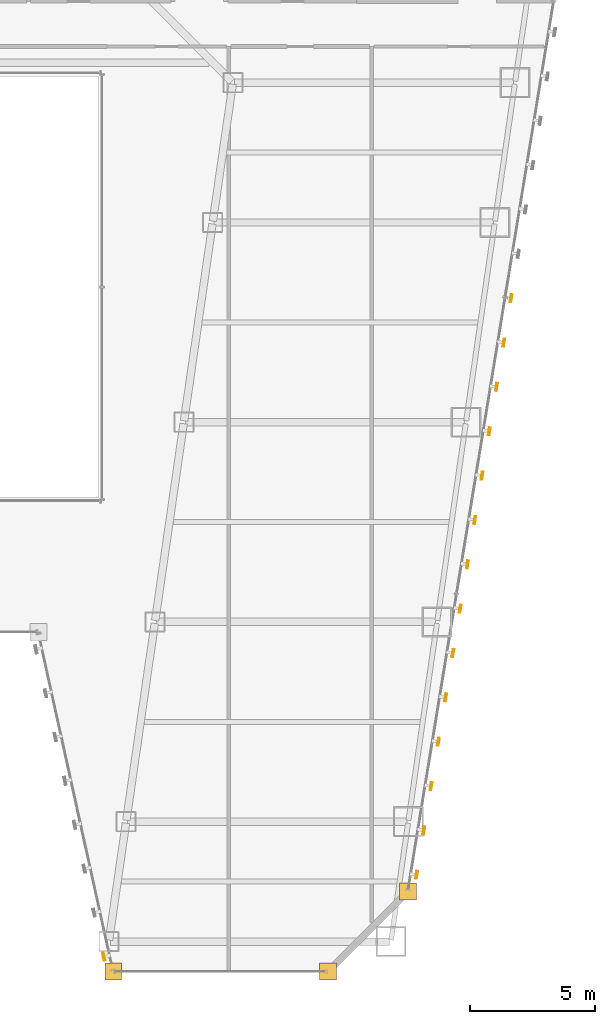
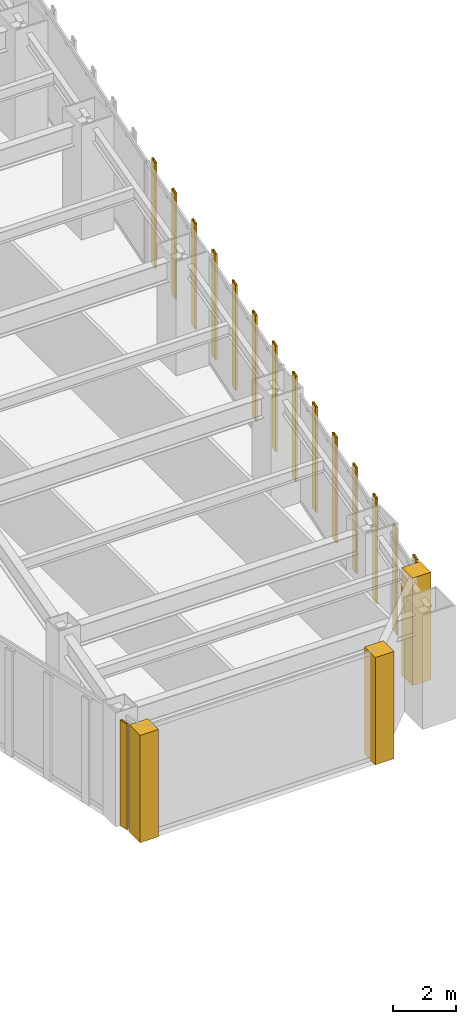
# One storey, part 44 of 47: 15 shading devices, 3 coverings.
"""IFC4 building model written with IfcOpenShell, lengths in metres."""

from ifc_helpers import new_model, si_unit, direction, frame, origin, origin_2d, place, context, subcontext, project, spatial, polyline, hollow_rectangle, outline, extrude, material, layer, layer_set, material_profile, profile_set, type_object, element, save


model = new_model("IFC4")

# Units and contexts
model_context = context("Model", 3, precision=1e-05, world=origin(), true_north=direction((0.0, 1.0)))
body_context = subcontext(model_context, "Body", "Model", "MODEL_VIEW")
ifc_project = project(units=[si_unit("LENGTHUNIT", "METRE"), si_unit("AREAUNIT", "SQUARE_METRE"), si_unit("VOLUMEUNIT", "CUBIC_METRE"), si_unit("PLANEANGLEUNIT", "RADIAN"), si_unit("MASSUNIT", "GRAM", prefix="KILO")], contexts=[model_context])

# Site, building, storey
site_placement = place(None, origin())
site = spatial("IfcSite", under=ifc_project, at=site_placement, CompositionType="ELEMENT")
building_placement = place(site_placement, origin())
building = spatial("IfcBuilding", under=site, at=building_placement, Name="Saevonmaru Cultural Tower", CompositionType="ELEMENT")
storey_placement = place(building_placement, frame((0.0, 0.0, 69.199951171875)))
storey = spatial("IfcBuildingStorey", under=building, at=storey_placement, Name="L14", CompositionType="ELEMENT", Elevation=69.199951171875)

# Coverings
ifc_material = material(Name="Satin Bronze Anodised Aluminium", Category="aluminium")
ifc_layer = layer(ifc_material, 0.679931640625, Name="Satin Bronze Anodised Aluminium")
ifc_layer_set = layer_set([ifc_layer], Name="Satin Bronze Anodised Aluminium")
covering_type = type_object("IfcCoveringType", Name="CV-CORNER-CLAD", PredefinedType="CLADDING", material=ifc_layer_set)
covering_1_placement = place(storey_placement, origin())
element("IfcCovering", 1, at=covering_1_placement, inside=storey, type_object=covering_type, Name="L14 Tower Bronze Corner Cladding Pier 6", PredefinedType="CLADDING", context=body_context, shape_type="SweptSolid", body=[
    extrude(outline(polyline([(36.06005859375, 1.659912109375), (36.739990234375, 1.659912109375), (36.739990234375, 2.340087890625), (36.06005859375, 2.340087890625), (36.06005859375, 1.659912109375)])), origin(), (0.0, 0.0, 1.0), 4.150146484375),
])
covering_2_placement = place(storey_placement, origin())
element("IfcCovering", 2, at=covering_2_placement, inside=storey, type_object=covering_type, Name="L14 Tower Bronze Corner Cladding Pier 7", PredefinedType="CLADDING", context=body_context, shape_type="SweptSolid", body=[
    extrude(outline(polyline([(44.659912109375, 1.659912109375), (45.340087890625, 1.659912109375), (45.340087890625, 2.340087890625), (44.659912109375, 2.340087890625), (44.659912109375, 1.659912109375)])), origin(), (0.0, 0.0, 1.0), 4.150146484375),
])
covering_3_placement = place(storey_placement, origin())
element("IfcCovering", 3, at=covering_3_placement, inside=storey, type_object=covering_type, Name="L14 Tower Bronze Corner Cladding Pier 8", PredefinedType="CLADDING", context=body_context, shape_type="SweptSolid", body=[
    extrude(outline(polyline([(47.860107421875, 4.860107421875), (48.5400390625, 4.860107421875), (48.5400390625, 5.5400390625), (47.860107421875, 5.5400390625), (47.860107421875, 4.860107421875)])), origin(), (0.0, 0.0, 1.0), 4.150146484375),
])

# Shading devices
ifc_material_profile = material_profile(ifc_material, hollow_rectangle(XDim=0.070068359375, YDim=0.320068359375, WallThickness=0.0048828125, at=origin_2d()), Name="FIN-320x70")
ifc_profile_set = profile_set([ifc_material_profile], Name="Satin Bronze Anodised Aluminium")
shading_device_type = type_object("IfcShadingDeviceType", Name="SHD-FIN-320", PredefinedType="JALOUSIE", material=ifc_profile_set)
for number, where, z_axis, x_axis, name in (
    (4, (36.022705078125, 2.59619140625, 0.050048828125), (0.0, 0.0, 1.0), (-0.976522126798, -0.215417120661, 0.0), "L14 Art Deco Sawtooth Bronze Fin E5-08"),
    (5, (48.552978515625, 5.869140625, 0.050048828125), (0.0, 0.0, 1.0), (0.986827496189, -0.161776057456, 0.0), "L14 Art Deco Sawtooth Bronze Fin E8-01"),
    (6, (48.843994140625, 7.6455078125, 0.050048828125), (0.0, 0.0, 1.0), (0.986827496189, -0.161776057456, 0.0), "L14 Art Deco Sawtooth Bronze Fin E8-02"),
    (7, (49.135009765625, 9.421875, 0.050048828125), (0.0, 0.0, 1.0), (0.986827496189, -0.161776057456, 0.0), "L14 Art Deco Sawtooth Bronze Fin E8-03"),
    (8, (49.426025390625, 11.197998046875, 0.050048828125), (0.0, 0.0, 1.0), (0.986827496189, -0.161776057456, 0.0), "L14 Art Deco Sawtooth Bronze Fin E8-04"),
    (9, (49.71728515625, 12.974365234375, 0.050048828125), (0.0, 0.0, 1.0), (0.986827496189, -0.161776057456, 0.0), "L14 Art Deco Sawtooth Bronze Fin E8-05"),
    (10, (50.00830078125, 14.750732421875, 0.050048828125), (0.0, 0.0, 1.0), (0.986827496189, -0.161776057456, 0.0), "L14 Art Deco Sawtooth Bronze Fin E8-06"),
    (11, (50.29931640625, 16.527099609375, 0.050048828125), (0.0, 0.0, 1.0), (0.986827496189, -0.161776057456, 0.0), "L14 Art Deco Sawtooth Bronze Fin E8-07"),
    (12, (50.59033203125, 18.30322265625, 0.050048828125), (0.0, 0.0, 1.0), (0.986827496189, -0.161776057456, 0.0), "L14 Art Deco Sawtooth Bronze Fin E8-08"),
    (13, (50.881591796875, 20.07958984375, 0.050048828125), (0.0, 0.0, 1.0), (0.986827496189, -0.161776057456, 0.0), "L14 Art Deco Sawtooth Bronze Fin E8-09"),
    (14, (51.172607421875, 21.85595703125, 0.050048828125), (0.0, 0.0, 1.0), (0.986827496189, -0.161776057456, 0.0), "L14 Art Deco Sawtooth Bronze Fin E8-10"),
    (15, (51.463623046875, 23.63232421875, 0.050048828125), (0.0, 0.0, 1.0), (0.986827496189, -0.161776057456, 0.0), "L14 Art Deco Sawtooth Bronze Fin E8-11"),
    (16, (51.754638671875, 25.40869140625, 0.050048828125), (0.0, 0.0, 1.0), (0.986827496189, -0.161776057456, 0.0), "L14 Art Deco Sawtooth Bronze Fin E8-12"),
    (17, (52.0458984375, 27.184814453125, 0.050048828125), (0.0, 0.0, 1.0), (0.986827496189, -0.161776057456, 0.0), "L14 Art Deco Sawtooth Bronze Fin E8-13"),
    (18, (52.3369140625, 28.961181640625, 0.050048828125), (0.0, 0.0, 1.0), (0.986827496189, -0.161776057456, 0.0), "L14 Art Deco Sawtooth Bronze Fin E8-14"),
):
    element("IfcShadingDevice", number, at=place(storey_placement, frame(where, z_axis=z_axis, x_axis=x_axis)), inside=storey, type_object=shading_device_type, Name=name, PredefinedType="JALOUSIE", context=body_context, shape_type="SweptSolid", body=[
        extrude(hollow_rectangle(XDim=0.070068359375, YDim=0.320068359375, WallThickness=0.0048828125, at=origin_2d()), origin(), (0.0, 0.0, 1.0), 4.080078125),
    ])

save(model, "model.ifc")
